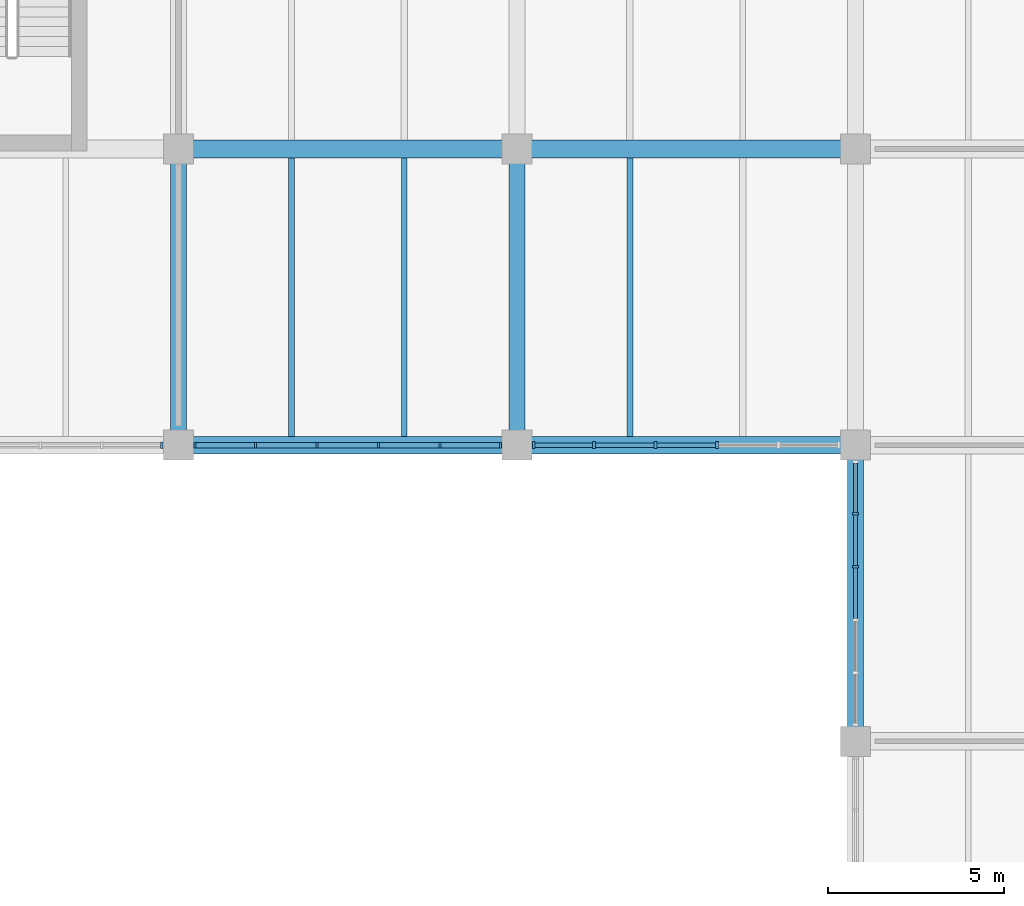
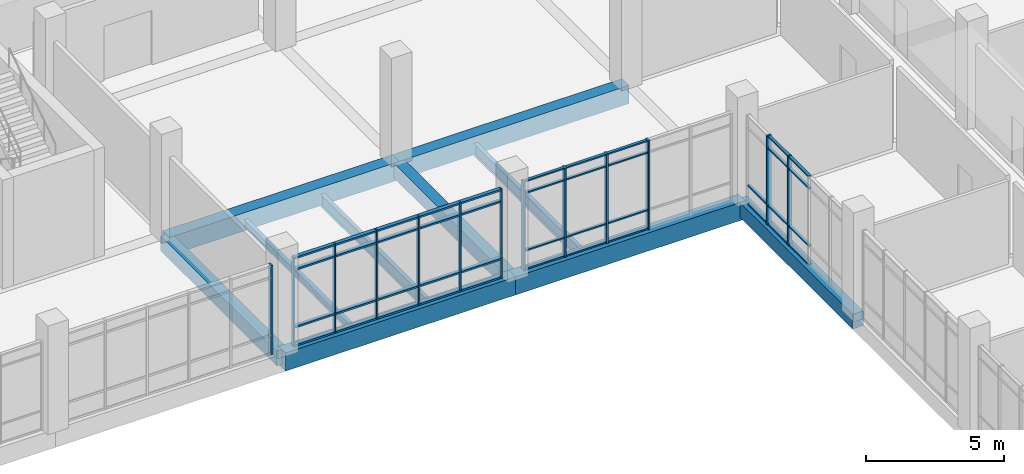
# One storey, part 36 of 152: 55 members, 10 beams, 4 elements without a shape of their own.
"""IFC4 building model written with IfcOpenShell, lengths in metres."""

from ifc_helpers import new_model, si_unit, direction, frame, origin, origin_2d, place, context, subcontext, project, spatial, rectangle, i_section, extrude, material, material_profile, profile_set, type_object, element, aggregate, save


model = new_model("IFC4")

# Units and contexts
model_context = context("Model", 3, precision=1e-05, world=origin(), true_north=direction((0.0, 1.0)))
body_context = subcontext(model_context, "Body", "Model", "MODEL_VIEW")
ifc_project = project(units=[si_unit("LENGTHUNIT", "METRE"), si_unit("AREAUNIT", "SQUARE_METRE"), si_unit("VOLUMEUNIT", "CUBIC_METRE"), si_unit("PLANEANGLEUNIT", "RADIAN"), si_unit("MASSUNIT", "GRAM", prefix="KILO")], contexts=[model_context])

# Site, building, storey
site_placement = place(None, origin())
site = spatial("IfcSite", under=ifc_project, at=site_placement, CompositionType="ELEMENT")
building_placement = place(site_placement, origin())
building = spatial("IfcBuilding", under=site, at=building_placement, Name="Oolite Switchyard Hospital", CompositionType="ELEMENT")
storey_placement = place(building_placement, frame((0.0, 0.0, 5.10009765625)))
storey = spatial("IfcBuildingStorey", under=building, at=storey_placement, Name="L01", CompositionType="ELEMENT", Elevation=5.10009765625)

# Beams
ifc_material_1 = material(Name="Concrete C40/50", Category="concrete")
ifc_material_profile_1 = material_profile(ifc_material_1, rectangle(XDim=0.449951171875, YDim=0.64990234375, at=origin_2d()), Name="RCB450X650")
ifc_profile_set_1 = profile_set([ifc_material_profile_1], Name="Concrete C40/50")
beam_type_1 = type_object("IfcBeamType", Name="BM-RC450X650", PredefinedType="BEAM", material=ifc_profile_set_1)
for number, where, z_axis, x_axis, name in (
    (1, (96.0, 84.0, -0.3251953125), (0.0, 1.0, 0.0), (-1.0, 0.0, 0.0), "L01 Y-Girder 418"),
    (2, (105.60009765625, 84.0, -0.3251953125), (0.0, 1.0, 0.0), (-1.0, 0.0, 0.0), "L01 Y-Girder 422"),
    (3, (115.199951171875, 75.60009765625, -0.3251953125), (0.0, 1.0, 0.0), (-1.0, 0.0, 0.0), "L01 Y-Girder 431"),
):
    element("IfcBeam", number, at=place(storey_placement, frame(where, z_axis=z_axis, x_axis=x_axis)), inside=storey, type_object=beam_type_1, Name=name, PredefinedType="BEAM", context=body_context, shape_type="SweptSolid", body=[
        extrude(rectangle(XDim=0.449951171875, YDim=0.64990234375, at=origin_2d()), origin(), (0.0, 0.0, 1.0), 8.39990234375),
    ])
ifc_material_profile_2 = material_profile(ifc_material_1, rectangle(XDim=0.5, YDim=0.800048828125, at=origin_2d()), Name="RCB500X800")
ifc_profile_set_2 = profile_set([ifc_material_profile_2], Name="Concrete C40/50")
beam_type_2 = type_object("IfcBeamType", Name="BM-RC500X800", PredefinedType="BEAM", material=ifc_profile_set_2)
beam_1_placement = place(storey_placement, frame((96.0, 84.0, -0.400146484375), z_axis=(1.0, 0.0, 0.0), x_axis=(0.0, 1.0, 0.0)))
element("IfcBeam", 4, at=beam_1_placement, inside=storey, type_object=beam_type_2, Name="L01 X-Girder 173", PredefinedType="BEAM", context=body_context, shape_type="SweptSolid", body=[
    extrude(rectangle(XDim=0.5, YDim=0.800048828125, at=origin_2d()), origin(), (0.0, 0.0, 1.0), 9.60009765625),
])
beam_2_placement = place(storey_placement, frame((105.60009765625, 84.0, -0.400146484375), z_axis=(1.0, 0.0, 0.0), x_axis=(0.0, 1.0, 0.0)))
element("IfcBeam", 5, at=beam_2_placement, inside=storey, type_object=beam_type_2, Name="L01 X-Girder 174", PredefinedType="BEAM", context=body_context, shape_type="SweptSolid", body=[
    extrude(rectangle(XDim=0.5, YDim=0.800048828125, at=origin_2d()), origin(), (0.0, 0.0, 1.0), 9.599853515625),
])
beam_3_placement = place(storey_placement, frame((96.0, 92.39990234375, -0.400146484375), z_axis=(1.0, 0.0, 0.0), x_axis=(0.0, 1.0, 0.0)))
element("IfcBeam", 6, at=beam_3_placement, inside=storey, type_object=beam_type_2, Name="L01 X-Girder 189", PredefinedType="BEAM", context=body_context, shape_type="SweptSolid", body=[
    extrude(rectangle(XDim=0.5, YDim=0.800048828125, at=origin_2d()), origin(), (0.0, 0.0, 1.0), 9.60009765625),
])
beam_4_placement = place(storey_placement, frame((105.60009765625, 92.39990234375, -0.400146484375), z_axis=(1.0, 0.0, 0.0), x_axis=(0.0, 1.0, 0.0)))
element("IfcBeam", 7, at=beam_4_placement, inside=storey, type_object=beam_type_2, Name="L01 X-Girder 190", PredefinedType="BEAM", context=body_context, shape_type="SweptSolid", body=[
    extrude(rectangle(XDim=0.5, YDim=0.800048828125, at=origin_2d()), origin(), (0.0, 0.0, 1.0), 9.599853515625),
])
ifc_material_2 = material(Name="Steel ASTM A992 Grade 50", Category="steel")
ifc_material_profile_3 = material_profile(ifc_material_2, i_section(OverallWidth=0.1650390625, OverallDepth=0.31005859375, WebThickness=0.006103515625, FlangeThickness=0.010009765625, at=origin_2d()), Name="W12X26")
ifc_profile_set_3 = profile_set([ifc_material_profile_3], Name="Steel ASTM A992 Grade 50")
beam_type_3 = type_object("IfcBeamType", Name="BM-W12X26", PredefinedType="JOIST", material=ifc_profile_set_3)
beam_5_placement = place(storey_placement, frame((99.199951171875, 84.25, -0.455078125), z_axis=(0.0, 1.0, 0.0), x_axis=(-1.0, 0.0, 0.0)))
element("IfcBeam", 8, at=beam_5_placement, inside=storey, type_object=beam_type_3, Name="L01 Secondary Steel Joist 776", PredefinedType="JOIST", context=body_context, shape_type="SweptSolid", body=[
    extrude(i_section(OverallWidth=0.1650390625, OverallDepth=0.31005859375, WebThickness=0.006103515625, FlangeThickness=0.010009765625, at=origin_2d()), origin(), (0.0, 0.0, 1.0), 7.89990234375),
])
ifc_material_profile_4 = material_profile(ifc_material_2, i_section(OverallWidth=0.166015625, OverallDepth=0.529052734375, WebThickness=0.010009765625, FlangeThickness=0.013916015625, at=origin_2d()), Name="W21X50")
ifc_profile_set_4 = profile_set([ifc_material_profile_4], Name="Steel ASTM A992 Grade 50")
beam_type_4 = type_object("IfcBeamType", Name="BM-W21X50", PredefinedType="JOIST", material=ifc_profile_set_4)
for number, where, z_axis, x_axis, name in (
    (9, (102.39990234375, 84.25, -0.564208984375), (0.0, 1.0, 0.0), (-1.0, 0.0, 0.0), "L01 Secondary Steel Joist 777"),
    (10, (108.800048828125, 84.25, -0.564208984375), (0.0, 1.0, 0.0), (-1.0, 0.0, 0.0), "L01 Secondary Steel Joist 784"),
):
    element("IfcBeam", number, at=place(storey_placement, frame(where, z_axis=z_axis, x_axis=x_axis)), inside=storey, type_object=beam_type_4, Name=name, PredefinedType="JOIST", context=body_context, shape_type="SweptSolid", body=[
        extrude(i_section(OverallWidth=0.166015625, OverallDepth=0.529052734375, WebThickness=0.010009765625, FlangeThickness=0.013916015625, at=origin_2d()), origin(), (0.0, 0.0, 1.0), 7.89990234375),
    ])

# Curtain wall, members
ifc_material_3 = material(Name="Thermally broken aluminum frame with laminated impact glazing", Category="aluminium")
curtain_wall_type_1 = type_object("IfcCurtainWallType", Name="CW-UNIT-96X48", PredefinedType="USERDEFINED", material=ifc_material_3)
curtain_wall_1_placement = place(storey_placement, origin())
curtain_wall_1 = element("IfcCurtainWall", 11, at=curtain_wall_1_placement, inside=storey, type_object=curtain_wall_type_1, Name="L01 Unitised Curtain Wall 143", ObjectType="UNITISED", PredefinedType="USERDEFINED")
ifc_material_4 = material(Name="Aluminium 6063-T6", Category="aluminium")
ifc_material_profile_5 = material_profile(ifc_material_4, rectangle(XDim=0.159912109375, YDim=0.06005859375, at=origin_2d()), Name="CWM60X160")
ifc_profile_set_5 = profile_set([ifc_material_profile_5], Name="Aluminium 6063-T6")
member_type_1 = type_object("IfcMemberType", Name="CW-MUL-180", PredefinedType="MULLION", material=ifc_profile_set_5)
member_1_placement = place(storey_placement, frame((105.1298828125, 84.0, 0.0), z_axis=(0.0, 0.0, 1.0), x_axis=(0.0, -1.0, 0.0)))
member_1 = element("IfcMember", 12, at=member_1_placement, type_object=member_type_1, Name="CW-02 mullion 1", PredefinedType="MULLION", context=body_context, shape_type="SweptSolid", body=[
    extrude(rectangle(XDim=0.159912109375, YDim=0.06005859375, at=origin_2d()), origin(), (0.0, 0.0, 1.0), 3.93994140625),
])
member_2_placement = place(storey_placement, frame((103.416015625, 84.0, 0.0), z_axis=(0.0, 0.0, 1.0), x_axis=(0.0, -1.0, 0.0)))
member_2 = element("IfcMember", 13, at=member_2_placement, type_object=member_type_1, Name="CW-02 mullion 2", PredefinedType="MULLION", context=body_context, shape_type="SweptSolid", body=[
    extrude(rectangle(XDim=0.159912109375, YDim=0.06005859375, at=origin_2d()), origin(), (0.0, 0.0, 1.0), 3.93994140625),
])
member_3_placement = place(storey_placement, frame((101.672119140625, 84.0, 0.0), z_axis=(0.0, 0.0, 1.0), x_axis=(0.0, -1.0, 0.0)))
member_3 = element("IfcMember", 14, at=member_3_placement, type_object=member_type_1, Name="CW-02 mullion 3", PredefinedType="MULLION", context=body_context, shape_type="SweptSolid", body=[
    extrude(rectangle(XDim=0.159912109375, YDim=0.06005859375, at=origin_2d()), origin(), (0.0, 0.0, 1.0), 3.93994140625),
])
member_4_placement = place(storey_placement, frame((99.927978515625, 84.0, 0.0), z_axis=(0.0, 0.0, 1.0), x_axis=(0.0, -1.0, 0.0)))
member_4 = element("IfcMember", 15, at=member_4_placement, type_object=member_type_1, Name="CW-02 mullion 4", PredefinedType="MULLION", context=body_context, shape_type="SweptSolid", body=[
    extrude(rectangle(XDim=0.159912109375, YDim=0.06005859375, at=origin_2d()), origin(), (0.0, 0.0, 1.0), 3.93994140625),
])
member_5_placement = place(storey_placement, frame((98.18408203125, 84.0, 0.0), z_axis=(0.0, 0.0, 1.0), x_axis=(0.0, -1.0, 0.0)))
member_5 = element("IfcMember", 16, at=member_5_placement, type_object=member_type_1, Name="CW-02 mullion 5", PredefinedType="MULLION", context=body_context, shape_type="SweptSolid", body=[
    extrude(rectangle(XDim=0.159912109375, YDim=0.06005859375, at=origin_2d()), origin(), (0.0, 0.0, 1.0), 3.93994140625),
])
member_6_placement = place(storey_placement, frame((96.469970703125, 84.0, 0.0), z_axis=(0.0, 0.0, 1.0), x_axis=(0.0, -1.0, 0.0)))
member_6 = element("IfcMember", 17, at=member_6_placement, type_object=member_type_1, Name="CW-02 mullion 6", PredefinedType="MULLION", context=body_context, shape_type="SweptSolid", body=[
    extrude(rectangle(XDim=0.159912109375, YDim=0.06005859375, at=origin_2d()), origin(), (0.0, 0.0, 1.0), 3.93994140625),
])

# Curtain wall, member
curtain_wall_2_placement = place(storey_placement, origin())
curtain_wall_2 = element("IfcCurtainWall", 18, at=curtain_wall_2_placement, inside=storey, type_object=curtain_wall_type_1, Name="L01 Unitised Curtain Wall 141", ObjectType="UNITISED", PredefinedType="USERDEFINED")
ifc_material_profile_6 = material_profile(ifc_material_4, rectangle(XDim=0.179931640625, YDim=0.070068359375, at=origin_2d()), Name="CWM70X180")
ifc_profile_set_6 = profile_set([ifc_material_profile_6], Name="Aluminium 6063-T6")
member_type_2 = type_object("IfcMemberType", Name="CW-MUL-220", PredefinedType="MULLION", material=ifc_profile_set_6)
member_7_placement = place(storey_placement, frame((95.52490234375, 84.0, 0.0), z_axis=(0.0, 0.0, 1.0), x_axis=(0.0, -1.0, 0.0)))
member_7 = element("IfcMember", 19, at=member_7_placement, type_object=member_type_2, Name="CW-02 mullion 1", PredefinedType="MULLION", context=body_context, shape_type="SweptSolid", body=[
    extrude(rectangle(XDim=0.179931640625, YDim=0.070068359375, at=origin_2d()), origin(), (0.0, 0.0, 1.0), 3.93994140625),
])
aggregate(curtain_wall_2, [member_7])

# Curtain wall, members
curtain_wall_type_2 = type_object("IfcCurtainWallType", Name="CW-UNIT-84X48", PredefinedType="USERDEFINED", material=ifc_material_3)
curtain_wall_3_placement = place(storey_placement, origin())
curtain_wall_3 = element("IfcCurtainWall", 20, at=curtain_wall_3_placement, inside=storey, type_object=curtain_wall_type_2, Name="L01 Unitised Curtain Wall 186", ObjectType="UNITISED", PredefinedType="USERDEFINED")
member_8_placement = place(storey_placement, frame((115.199951171875, 80.552001953125, 0.0), z_axis=(0.0, 0.0, 1.0), x_axis=(-1.0, 0.0, 0.0)))
member_8 = element("IfcMember", 21, at=member_8_placement, type_object=member_type_2, Name="CW-07 mullion 4", PredefinedType="MULLION", context=body_context, shape_type="SweptSolid", body=[
    extrude(rectangle(XDim=0.179931640625, YDim=0.070068359375, at=origin_2d()), origin(), (0.0, 0.0, 1.0), 3.93994140625),
])
member_9_placement = place(storey_placement, frame((115.199951171875, 82.055908203125, 0.0), z_axis=(0.0, 0.0, 1.0), x_axis=(-1.0, 0.0, 0.0)))
member_9 = element("IfcMember", 22, at=member_9_placement, type_object=member_type_2, Name="CW-07 mullion 5", PredefinedType="MULLION", context=body_context, shape_type="SweptSolid", body=[
    extrude(rectangle(XDim=0.179931640625, YDim=0.070068359375, at=origin_2d()), origin(), (0.0, 0.0, 1.0), 3.93994140625),
])

curtain_wall_4_placement = place(storey_placement, origin())
curtain_wall_4 = element("IfcCurtainWall", 23, at=curtain_wall_4_placement, inside=storey, type_object=curtain_wall_type_1, Name="L01 Unitised Curtain Wall 142", ObjectType="UNITISED", PredefinedType="USERDEFINED")
ifc_material_profile_7 = material_profile(ifc_material_4, rectangle(XDim=0.199951171875, YDim=0.074951171875, at=origin_2d()), Name="CWM75X200")
ifc_profile_set_7 = profile_set([ifc_material_profile_7], Name="Aluminium 6063-T6")
member_type_3 = type_object("IfcMemberType", Name="CW-MUL-260", PredefinedType="MULLION", material=ifc_profile_set_7)
member_10_placement = place(storey_placement, frame((111.27197265625, 84.0, 0.0), z_axis=(0.0, 0.0, 1.0), x_axis=(0.0, -1.0, 0.0)))
member_10 = element("IfcMember", 24, at=member_10_placement, type_object=member_type_3, Name="CW-02 mullion 3", PredefinedType="MULLION", context=body_context, shape_type="SweptSolid", body=[
    extrude(rectangle(XDim=0.199951171875, YDim=0.074951171875, at=origin_2d()), origin(), (0.0, 0.0, 1.0), 3.93994140625),
])
member_11_placement = place(storey_placement, frame((109.528076171875, 84.0, 0.0), z_axis=(0.0, 0.0, 1.0), x_axis=(0.0, -1.0, 0.0)))
member_11 = element("IfcMember", 25, at=member_11_placement, type_object=member_type_3, Name="CW-02 mullion 4", PredefinedType="MULLION", context=body_context, shape_type="SweptSolid", body=[
    extrude(rectangle(XDim=0.199951171875, YDim=0.074951171875, at=origin_2d()), origin(), (0.0, 0.0, 1.0), 3.93994140625),
])
member_12_placement = place(storey_placement, frame((107.783935546875, 84.0, 0.0), z_axis=(0.0, 0.0, 1.0), x_axis=(0.0, -1.0, 0.0)))
member_12 = element("IfcMember", 26, at=member_12_placement, type_object=member_type_3, Name="CW-02 mullion 5", PredefinedType="MULLION", context=body_context, shape_type="SweptSolid", body=[
    extrude(rectangle(XDim=0.199951171875, YDim=0.074951171875, at=origin_2d()), origin(), (0.0, 0.0, 1.0), 3.93994140625),
])
member_13_placement = place(storey_placement, frame((106.077392578125, 84.0, 0.0), z_axis=(0.0, 0.0, 1.0), x_axis=(0.0, -1.0, 0.0)))
member_13 = element("IfcMember", 27, at=member_13_placement, type_object=member_type_3, Name="CW-02 mullion 6", PredefinedType="MULLION", context=body_context, shape_type="SweptSolid", body=[
    extrude(rectangle(XDim=0.199951171875, YDim=0.074951171875, at=origin_2d()), origin(), (0.0, 0.0, 1.0), 3.93994140625),
])
ifc_material_profile_8 = material_profile(ifc_material_4, rectangle(XDim=0.1201171875, YDim=0.06005859375, at=origin_2d()), Name="CWT60X120")
ifc_profile_set_8 = profile_set([ifc_material_profile_8], Name="Aluminium 6063-T6")
member_type_4 = type_object("IfcMemberType", Name="CW-TRN-150", PredefinedType="USERDEFINED", material=ifc_profile_set_8)
member_14_placement = place(storey_placement, frame((111.234619140625, 84.0, 0.02978515625), z_axis=(-1.0, 0.0, 0.0), x_axis=(0.0, -1.0, 0.0)))
member_14 = element("IfcMember", 28, at=member_14_placement, type_object=member_type_4, Name="CW-02 transom 3.1", ObjectType="TRANSOM", PredefinedType="USERDEFINED", context=body_context, shape_type="SweptSolid", body=[
    extrude(rectangle(XDim=0.1201171875, YDim=0.06005859375, at=origin_2d()), origin(), (0.0, 0.0, 1.0), 1.669189453125),
])
member_15_placement = place(storey_placement, frame((111.234619140625, 84.0, 0.849853515625), z_axis=(-1.0, 0.0, 0.0), x_axis=(0.0, -1.0, 0.0)))
member_15 = element("IfcMember", 29, at=member_15_placement, type_object=member_type_4, Name="CW-02 transom 3.2", ObjectType="TRANSOM", PredefinedType="USERDEFINED", context=body_context, shape_type="SweptSolid", body=[
    extrude(rectangle(XDim=0.1201171875, YDim=0.06005859375, at=origin_2d()), origin(), (0.0, 0.0, 1.0), 1.669189453125),
])
member_16_placement = place(storey_placement, frame((111.234619140625, 84.0, 3.389892578125), z_axis=(-1.0, 0.0, 0.0), x_axis=(0.0, -1.0, 0.0)))
member_16 = element("IfcMember", 30, at=member_16_placement, type_object=member_type_4, Name="CW-02 transom 3.3", ObjectType="TRANSOM", PredefinedType="USERDEFINED", context=body_context, shape_type="SweptSolid", body=[
    extrude(rectangle(XDim=0.1201171875, YDim=0.06005859375, at=origin_2d()), origin(), (0.0, 0.0, 1.0), 1.669189453125),
])
member_17_placement = place(storey_placement, frame((111.234619140625, 84.0, 3.909912109375), z_axis=(-1.0, 0.0, 0.0), x_axis=(0.0, -1.0, 0.0)))
member_17 = element("IfcMember", 31, at=member_17_placement, type_object=member_type_4, Name="CW-02 transom 3.4", ObjectType="TRANSOM", PredefinedType="USERDEFINED", context=body_context, shape_type="SweptSolid", body=[
    extrude(rectangle(XDim=0.1201171875, YDim=0.06005859375, at=origin_2d()), origin(), (0.0, 0.0, 1.0), 1.669189453125),
])
member_18_placement = place(storey_placement, frame((109.490478515625, 84.0, 0.02978515625), z_axis=(-1.0, 0.0, 0.0), x_axis=(0.0, -1.0, 0.0)))
member_18 = element("IfcMember", 32, at=member_18_placement, type_object=member_type_4, Name="CW-02 transom 4.1", ObjectType="TRANSOM", PredefinedType="USERDEFINED", context=body_context, shape_type="SweptSolid", body=[
    extrude(rectangle(XDim=0.1201171875, YDim=0.06005859375, at=origin_2d()), origin(), (0.0, 0.0, 1.0), 1.6689453125),
])
member_19_placement = place(storey_placement, frame((109.490478515625, 84.0, 0.849853515625), z_axis=(-1.0, 0.0, 0.0), x_axis=(0.0, -1.0, 0.0)))
member_19 = element("IfcMember", 33, at=member_19_placement, type_object=member_type_4, Name="CW-02 transom 4.2", ObjectType="TRANSOM", PredefinedType="USERDEFINED", context=body_context, shape_type="SweptSolid", body=[
    extrude(rectangle(XDim=0.1201171875, YDim=0.06005859375, at=origin_2d()), origin(), (0.0, 0.0, 1.0), 1.6689453125),
])
member_20_placement = place(storey_placement, frame((109.490478515625, 84.0, 3.389892578125), z_axis=(-1.0, 0.0, 0.0), x_axis=(0.0, -1.0, 0.0)))
member_20 = element("IfcMember", 34, at=member_20_placement, type_object=member_type_4, Name="CW-02 transom 4.3", ObjectType="TRANSOM", PredefinedType="USERDEFINED", context=body_context, shape_type="SweptSolid", body=[
    extrude(rectangle(XDim=0.1201171875, YDim=0.06005859375, at=origin_2d()), origin(), (0.0, 0.0, 1.0), 1.6689453125),
])
member_21_placement = place(storey_placement, frame((109.490478515625, 84.0, 3.909912109375), z_axis=(-1.0, 0.0, 0.0), x_axis=(0.0, -1.0, 0.0)))
member_21 = element("IfcMember", 35, at=member_21_placement, type_object=member_type_4, Name="CW-02 transom 4.4", ObjectType="TRANSOM", PredefinedType="USERDEFINED", context=body_context, shape_type="SweptSolid", body=[
    extrude(rectangle(XDim=0.1201171875, YDim=0.06005859375, at=origin_2d()), origin(), (0.0, 0.0, 1.0), 1.6689453125),
])
member_22_placement = place(storey_placement, frame((107.74658203125, 84.0, 0.02978515625), z_axis=(-1.0, 0.0, 0.0), x_axis=(0.0, -1.0, 0.0)))
member_22 = element("IfcMember", 36, at=member_22_placement, type_object=member_type_4, Name="CW-02 transom 5.1", ObjectType="TRANSOM", PredefinedType="USERDEFINED", context=body_context, shape_type="SweptSolid", body=[
    extrude(rectangle(XDim=0.1201171875, YDim=0.06005859375, at=origin_2d()), origin(), (0.0, 0.0, 1.0), 1.631591796875),
])
member_23_placement = place(storey_placement, frame((107.74658203125, 84.0, 0.849853515625), z_axis=(-1.0, 0.0, 0.0), x_axis=(0.0, -1.0, 0.0)))
member_23 = element("IfcMember", 37, at=member_23_placement, type_object=member_type_4, Name="CW-02 transom 5.2", ObjectType="TRANSOM", PredefinedType="USERDEFINED", context=body_context, shape_type="SweptSolid", body=[
    extrude(rectangle(XDim=0.1201171875, YDim=0.06005859375, at=origin_2d()), origin(), (0.0, 0.0, 1.0), 1.631591796875),
])
member_24_placement = place(storey_placement, frame((107.74658203125, 84.0, 3.389892578125), z_axis=(-1.0, 0.0, 0.0), x_axis=(0.0, -1.0, 0.0)))
member_24 = element("IfcMember", 38, at=member_24_placement, type_object=member_type_4, Name="CW-02 transom 5.3", ObjectType="TRANSOM", PredefinedType="USERDEFINED", context=body_context, shape_type="SweptSolid", body=[
    extrude(rectangle(XDim=0.1201171875, YDim=0.06005859375, at=origin_2d()), origin(), (0.0, 0.0, 1.0), 1.631591796875),
])
member_25_placement = place(storey_placement, frame((107.74658203125, 84.0, 3.909912109375), z_axis=(-1.0, 0.0, 0.0), x_axis=(0.0, -1.0, 0.0)))
member_25 = element("IfcMember", 39, at=member_25_placement, type_object=member_type_4, Name="CW-02 transom 5.4", ObjectType="TRANSOM", PredefinedType="USERDEFINED", context=body_context, shape_type="SweptSolid", body=[
    extrude(rectangle(XDim=0.1201171875, YDim=0.06005859375, at=origin_2d()), origin(), (0.0, 0.0, 1.0), 1.631591796875),
])
aggregate(curtain_wall_4, [member_10, member_11, member_12, member_13, member_14, member_15, member_16, member_17, member_18, member_19, member_20, member_21, member_22, member_23, member_24, member_25])

# Member
member_26_placement = place(storey_placement, frame((115.199951171875, 79.0830078125, 0.02978515625), z_axis=(0.0, 1.0, 0.0), x_axis=(-1.0, 0.0, 0.0)))
member_26 = element("IfcMember", 40, at=member_26_placement, type_object=member_type_4, Name="CW-07 transom 3.1", ObjectType="TRANSOM", PredefinedType="USERDEFINED", context=body_context, shape_type="SweptSolid", body=[
    extrude(rectangle(XDim=0.1201171875, YDim=0.06005859375, at=origin_2d()), origin(), (0.0, 0.0, 1.0), 1.43408203125),
])

member_27_placement = place(storey_placement, frame((115.199951171875, 79.0830078125, 0.849853515625), z_axis=(0.0, 1.0, 0.0), x_axis=(-1.0, 0.0, 0.0)))
member_27 = element("IfcMember", 41, at=member_27_placement, type_object=member_type_4, Name="CW-07 transom 3.2", ObjectType="TRANSOM", PredefinedType="USERDEFINED", context=body_context, shape_type="SweptSolid", body=[
    extrude(rectangle(XDim=0.1201171875, YDim=0.06005859375, at=origin_2d()), origin(), (0.0, 0.0, 1.0), 1.43408203125),
])

member_28_placement = place(storey_placement, frame((115.199951171875, 79.0830078125, 3.389892578125), z_axis=(0.0, 1.0, 0.0), x_axis=(-1.0, 0.0, 0.0)))
member_28 = element("IfcMember", 42, at=member_28_placement, type_object=member_type_4, Name="CW-07 transom 3.3", ObjectType="TRANSOM", PredefinedType="USERDEFINED", context=body_context, shape_type="SweptSolid", body=[
    extrude(rectangle(XDim=0.1201171875, YDim=0.06005859375, at=origin_2d()), origin(), (0.0, 0.0, 1.0), 1.43408203125),
])

member_29_placement = place(storey_placement, frame((115.199951171875, 79.0830078125, 3.909912109375), z_axis=(0.0, 1.0, 0.0), x_axis=(-1.0, 0.0, 0.0)))
member_29 = element("IfcMember", 43, at=member_29_placement, type_object=member_type_4, Name="CW-07 transom 3.4", ObjectType="TRANSOM", PredefinedType="USERDEFINED", context=body_context, shape_type="SweptSolid", body=[
    extrude(rectangle(XDim=0.1201171875, YDim=0.06005859375, at=origin_2d()), origin(), (0.0, 0.0, 1.0), 1.43408203125),
])

member_30_placement = place(storey_placement, frame((115.199951171875, 80.5869140625, 0.02978515625), z_axis=(0.0, 1.0, 0.0), x_axis=(-1.0, 0.0, 0.0)))
member_30 = element("IfcMember", 44, at=member_30_placement, type_object=member_type_4, Name="CW-07 transom 4.1", ObjectType="TRANSOM", PredefinedType="USERDEFINED", context=body_context, shape_type="SweptSolid", body=[
    extrude(rectangle(XDim=0.1201171875, YDim=0.06005859375, at=origin_2d()), origin(), (0.0, 0.0, 1.0), 1.43408203125),
])

member_31_placement = place(storey_placement, frame((115.199951171875, 80.5869140625, 0.849853515625), z_axis=(0.0, 1.0, 0.0), x_axis=(-1.0, 0.0, 0.0)))
member_31 = element("IfcMember", 45, at=member_31_placement, type_object=member_type_4, Name="CW-07 transom 4.2", ObjectType="TRANSOM", PredefinedType="USERDEFINED", context=body_context, shape_type="SweptSolid", body=[
    extrude(rectangle(XDim=0.1201171875, YDim=0.06005859375, at=origin_2d()), origin(), (0.0, 0.0, 1.0), 1.43408203125),
])

member_32_placement = place(storey_placement, frame((115.199951171875, 80.5869140625, 3.389892578125), z_axis=(0.0, 1.0, 0.0), x_axis=(-1.0, 0.0, 0.0)))
member_32 = element("IfcMember", 46, at=member_32_placement, type_object=member_type_4, Name="CW-07 transom 4.3", ObjectType="TRANSOM", PredefinedType="USERDEFINED", context=body_context, shape_type="SweptSolid", body=[
    extrude(rectangle(XDim=0.1201171875, YDim=0.06005859375, at=origin_2d()), origin(), (0.0, 0.0, 1.0), 1.43408203125),
])

member_33_placement = place(storey_placement, frame((115.199951171875, 80.5869140625, 3.909912109375), z_axis=(0.0, 1.0, 0.0), x_axis=(-1.0, 0.0, 0.0)))
member_33 = element("IfcMember", 47, at=member_33_placement, type_object=member_type_4, Name="CW-07 transom 4.4", ObjectType="TRANSOM", PredefinedType="USERDEFINED", context=body_context, shape_type="SweptSolid", body=[
    extrude(rectangle(XDim=0.1201171875, YDim=0.06005859375, at=origin_2d()), origin(), (0.0, 0.0, 1.0), 1.43408203125),
])

member_34_placement = place(storey_placement, frame((115.199951171875, 82.091064453125, 0.02978515625), z_axis=(0.0, 1.0, 0.0), x_axis=(-1.0, 0.0, 0.0)))
member_34 = element("IfcMember", 48, at=member_34_placement, type_object=member_type_4, Name="CW-07 transom 5.1", ObjectType="TRANSOM", PredefinedType="USERDEFINED", context=body_context, shape_type="SweptSolid", body=[
    extrude(rectangle(XDim=0.1201171875, YDim=0.06005859375, at=origin_2d()), origin(), (0.0, 0.0, 1.0), 1.39892578125),
])

member_35_placement = place(storey_placement, frame((115.199951171875, 82.091064453125, 0.849853515625), z_axis=(0.0, 1.0, 0.0), x_axis=(-1.0, 0.0, 0.0)))
member_35 = element("IfcMember", 49, at=member_35_placement, type_object=member_type_4, Name="CW-07 transom 5.2", ObjectType="TRANSOM", PredefinedType="USERDEFINED", context=body_context, shape_type="SweptSolid", body=[
    extrude(rectangle(XDim=0.1201171875, YDim=0.06005859375, at=origin_2d()), origin(), (0.0, 0.0, 1.0), 1.39892578125),
])

aggregate(curtain_wall_3, [member_8, member_9, member_26, member_27, member_28, member_29, member_30, member_31, member_32, member_33, member_34, member_35])

ifc_material_profile_9 = material_profile(ifc_material_4, rectangle(XDim=0.159912109375, YDim=0.074951171875, at=origin_2d()), Name="CWT75X160")
ifc_profile_set_9 = profile_set([ifc_material_profile_9], Name="Aluminium 6063-T6")
member_type_5 = type_object("IfcMemberType", Name="CW-TRN-180", PredefinedType="USERDEFINED", material=ifc_profile_set_9)
member_36_placement = place(storey_placement, frame((105.10009765625, 84.0, 0.037353515625), z_axis=(-1.0, 0.0, 0.0), x_axis=(0.0, -1.0, 0.0)))
member_36 = element("IfcMember", 50, at=member_36_placement, type_object=member_type_5, Name="CW-02 transom 1.1", ObjectType="TRANSOM", PredefinedType="USERDEFINED", context=body_context, shape_type="SweptSolid", body=[
    extrude(rectangle(XDim=0.159912109375, YDim=0.074951171875, at=origin_2d()), origin(), (0.0, 0.0, 1.0), 1.654052734375),
])

member_37_placement = place(storey_placement, frame((105.10009765625, 84.0, 0.849853515625), z_axis=(-1.0, 0.0, 0.0), x_axis=(0.0, -1.0, 0.0)))
member_37 = element("IfcMember", 51, at=member_37_placement, type_object=member_type_5, Name="CW-02 transom 1.2", ObjectType="TRANSOM", PredefinedType="USERDEFINED", context=body_context, shape_type="SweptSolid", body=[
    extrude(rectangle(XDim=0.159912109375, YDim=0.074951171875, at=origin_2d()), origin(), (0.0, 0.0, 1.0), 1.654052734375),
])

member_38_placement = place(storey_placement, frame((105.10009765625, 84.0, 3.389892578125), z_axis=(-1.0, 0.0, 0.0), x_axis=(0.0, -1.0, 0.0)))
member_38 = element("IfcMember", 52, at=member_38_placement, type_object=member_type_5, Name="CW-02 transom 1.3", ObjectType="TRANSOM", PredefinedType="USERDEFINED", context=body_context, shape_type="SweptSolid", body=[
    extrude(rectangle(XDim=0.159912109375, YDim=0.074951171875, at=origin_2d()), origin(), (0.0, 0.0, 1.0), 1.654052734375),
])

member_39_placement = place(storey_placement, frame((105.10009765625, 84.0, 3.90234375), z_axis=(-1.0, 0.0, 0.0), x_axis=(0.0, -1.0, 0.0)))
member_39 = element("IfcMember", 53, at=member_39_placement, type_object=member_type_5, Name="CW-02 transom 1.4", ObjectType="TRANSOM", PredefinedType="USERDEFINED", context=body_context, shape_type="SweptSolid", body=[
    extrude(rectangle(XDim=0.159912109375, YDim=0.074951171875, at=origin_2d()), origin(), (0.0, 0.0, 1.0), 1.654052734375),
])

member_40_placement = place(storey_placement, frame((103.385986328125, 84.0, 0.037353515625), z_axis=(-1.0, 0.0, 0.0), x_axis=(0.0, -1.0, 0.0)))
member_40 = element("IfcMember", 54, at=member_40_placement, type_object=member_type_5, Name="CW-02 transom 2.1", ObjectType="TRANSOM", PredefinedType="USERDEFINED", context=body_context, shape_type="SweptSolid", body=[
    extrude(rectangle(XDim=0.159912109375, YDim=0.074951171875, at=origin_2d()), origin(), (0.0, 0.0, 1.0), 1.68408203125),
])

member_41_placement = place(storey_placement, frame((103.385986328125, 84.0, 0.849853515625), z_axis=(-1.0, 0.0, 0.0), x_axis=(0.0, -1.0, 0.0)))
member_41 = element("IfcMember", 55, at=member_41_placement, type_object=member_type_5, Name="CW-02 transom 2.2", ObjectType="TRANSOM", PredefinedType="USERDEFINED", context=body_context, shape_type="SweptSolid", body=[
    extrude(rectangle(XDim=0.159912109375, YDim=0.074951171875, at=origin_2d()), origin(), (0.0, 0.0, 1.0), 1.68408203125),
])

member_42_placement = place(storey_placement, frame((103.385986328125, 84.0, 3.389892578125), z_axis=(-1.0, 0.0, 0.0), x_axis=(0.0, -1.0, 0.0)))
member_42 = element("IfcMember", 56, at=member_42_placement, type_object=member_type_5, Name="CW-02 transom 2.3", ObjectType="TRANSOM", PredefinedType="USERDEFINED", context=body_context, shape_type="SweptSolid", body=[
    extrude(rectangle(XDim=0.159912109375, YDim=0.074951171875, at=origin_2d()), origin(), (0.0, 0.0, 1.0), 1.68408203125),
])

member_43_placement = place(storey_placement, frame((103.385986328125, 84.0, 3.90234375), z_axis=(-1.0, 0.0, 0.0), x_axis=(0.0, -1.0, 0.0)))
member_43 = element("IfcMember", 57, at=member_43_placement, type_object=member_type_5, Name="CW-02 transom 2.4", ObjectType="TRANSOM", PredefinedType="USERDEFINED", context=body_context, shape_type="SweptSolid", body=[
    extrude(rectangle(XDim=0.159912109375, YDim=0.074951171875, at=origin_2d()), origin(), (0.0, 0.0, 1.0), 1.68408203125),
])

member_44_placement = place(storey_placement, frame((101.64208984375, 84.0, 0.037353515625), z_axis=(-1.0, 0.0, 0.0), x_axis=(0.0, -1.0, 0.0)))
member_44 = element("IfcMember", 58, at=member_44_placement, type_object=member_type_5, Name="CW-02 transom 3.1", ObjectType="TRANSOM", PredefinedType="USERDEFINED", context=body_context, shape_type="SweptSolid", body=[
    extrude(rectangle(XDim=0.159912109375, YDim=0.074951171875, at=origin_2d()), origin(), (0.0, 0.0, 1.0), 1.68408203125),
])

member_45_placement = place(storey_placement, frame((101.64208984375, 84.0, 0.849853515625), z_axis=(-1.0, 0.0, 0.0), x_axis=(0.0, -1.0, 0.0)))
member_45 = element("IfcMember", 59, at=member_45_placement, type_object=member_type_5, Name="CW-02 transom 3.2", ObjectType="TRANSOM", PredefinedType="USERDEFINED", context=body_context, shape_type="SweptSolid", body=[
    extrude(rectangle(XDim=0.159912109375, YDim=0.074951171875, at=origin_2d()), origin(), (0.0, 0.0, 1.0), 1.68408203125),
])

member_46_placement = place(storey_placement, frame((101.64208984375, 84.0, 3.389892578125), z_axis=(-1.0, 0.0, 0.0), x_axis=(0.0, -1.0, 0.0)))
member_46 = element("IfcMember", 60, at=member_46_placement, type_object=member_type_5, Name="CW-02 transom 3.3", ObjectType="TRANSOM", PredefinedType="USERDEFINED", context=body_context, shape_type="SweptSolid", body=[
    extrude(rectangle(XDim=0.159912109375, YDim=0.074951171875, at=origin_2d()), origin(), (0.0, 0.0, 1.0), 1.68408203125),
])

member_47_placement = place(storey_placement, frame((101.64208984375, 84.0, 3.90234375), z_axis=(-1.0, 0.0, 0.0), x_axis=(0.0, -1.0, 0.0)))
member_47 = element("IfcMember", 61, at=member_47_placement, type_object=member_type_5, Name="CW-02 transom 3.4", ObjectType="TRANSOM", PredefinedType="USERDEFINED", context=body_context, shape_type="SweptSolid", body=[
    extrude(rectangle(XDim=0.159912109375, YDim=0.074951171875, at=origin_2d()), origin(), (0.0, 0.0, 1.0), 1.68408203125),
])

member_48_placement = place(storey_placement, frame((99.89794921875, 84.0, 0.037353515625), z_axis=(-1.0, 0.0, 0.0), x_axis=(0.0, -1.0, 0.0)))
member_48 = element("IfcMember", 62, at=member_48_placement, type_object=member_type_5, Name="CW-02 transom 4.1", ObjectType="TRANSOM", PredefinedType="USERDEFINED", context=body_context, shape_type="SweptSolid", body=[
    extrude(rectangle(XDim=0.159912109375, YDim=0.074951171875, at=origin_2d()), origin(), (0.0, 0.0, 1.0), 1.683837890625),
])

member_49_placement = place(storey_placement, frame((99.89794921875, 84.0, 0.849853515625), z_axis=(-1.0, 0.0, 0.0), x_axis=(0.0, -1.0, 0.0)))
member_49 = element("IfcMember", 63, at=member_49_placement, type_object=member_type_5, Name="CW-02 transom 4.2", ObjectType="TRANSOM", PredefinedType="USERDEFINED", context=body_context, shape_type="SweptSolid", body=[
    extrude(rectangle(XDim=0.159912109375, YDim=0.074951171875, at=origin_2d()), origin(), (0.0, 0.0, 1.0), 1.683837890625),
])

member_50_placement = place(storey_placement, frame((99.89794921875, 84.0, 3.389892578125), z_axis=(-1.0, 0.0, 0.0), x_axis=(0.0, -1.0, 0.0)))
member_50 = element("IfcMember", 64, at=member_50_placement, type_object=member_type_5, Name="CW-02 transom 4.3", ObjectType="TRANSOM", PredefinedType="USERDEFINED", context=body_context, shape_type="SweptSolid", body=[
    extrude(rectangle(XDim=0.159912109375, YDim=0.074951171875, at=origin_2d()), origin(), (0.0, 0.0, 1.0), 1.683837890625),
])

member_51_placement = place(storey_placement, frame((99.89794921875, 84.0, 3.90234375), z_axis=(-1.0, 0.0, 0.0), x_axis=(0.0, -1.0, 0.0)))
member_51 = element("IfcMember", 65, at=member_51_placement, type_object=member_type_5, Name="CW-02 transom 4.4", ObjectType="TRANSOM", PredefinedType="USERDEFINED", context=body_context, shape_type="SweptSolid", body=[
    extrude(rectangle(XDim=0.159912109375, YDim=0.074951171875, at=origin_2d()), origin(), (0.0, 0.0, 1.0), 1.683837890625),
])

member_52_placement = place(storey_placement, frame((98.154052734375, 84.0, 0.037353515625), z_axis=(-1.0, 0.0, 0.0), x_axis=(0.0, -1.0, 0.0)))
member_52 = element("IfcMember", 66, at=member_52_placement, type_object=member_type_5, Name="CW-02 transom 5.1", ObjectType="TRANSOM", PredefinedType="USERDEFINED", context=body_context, shape_type="SweptSolid", body=[
    extrude(rectangle(XDim=0.159912109375, YDim=0.074951171875, at=origin_2d()), origin(), (0.0, 0.0, 1.0), 1.654052734375),
])

member_53_placement = place(storey_placement, frame((98.154052734375, 84.0, 0.849853515625), z_axis=(-1.0, 0.0, 0.0), x_axis=(0.0, -1.0, 0.0)))
member_53 = element("IfcMember", 67, at=member_53_placement, type_object=member_type_5, Name="CW-02 transom 5.2", ObjectType="TRANSOM", PredefinedType="USERDEFINED", context=body_context, shape_type="SweptSolid", body=[
    extrude(rectangle(XDim=0.159912109375, YDim=0.074951171875, at=origin_2d()), origin(), (0.0, 0.0, 1.0), 1.654052734375),
])

member_54_placement = place(storey_placement, frame((98.154052734375, 84.0, 3.389892578125), z_axis=(-1.0, 0.0, 0.0), x_axis=(0.0, -1.0, 0.0)))
member_54 = element("IfcMember", 68, at=member_54_placement, type_object=member_type_5, Name="CW-02 transom 5.3", ObjectType="TRANSOM", PredefinedType="USERDEFINED", context=body_context, shape_type="SweptSolid", body=[
    extrude(rectangle(XDim=0.159912109375, YDim=0.074951171875, at=origin_2d()), origin(), (0.0, 0.0, 1.0), 1.654052734375),
])

member_55_placement = place(storey_placement, frame((98.154052734375, 84.0, 3.90234375), z_axis=(-1.0, 0.0, 0.0), x_axis=(0.0, -1.0, 0.0)))
member_55 = element("IfcMember", 69, at=member_55_placement, type_object=member_type_5, Name="CW-02 transom 5.4", ObjectType="TRANSOM", PredefinedType="USERDEFINED", context=body_context, shape_type="SweptSolid", body=[
    extrude(rectangle(XDim=0.159912109375, YDim=0.074951171875, at=origin_2d()), origin(), (0.0, 0.0, 1.0), 1.654052734375),
])

aggregate(curtain_wall_1, [member_1, member_2, member_3, member_4, member_5, member_6, member_36, member_37, member_38, member_39, member_40, member_41, member_42, member_43, member_44, member_45, member_46, member_47, member_48, member_49, member_50, member_51, member_52, member_53, member_54, member_55])

save(model, "model.ifc")
